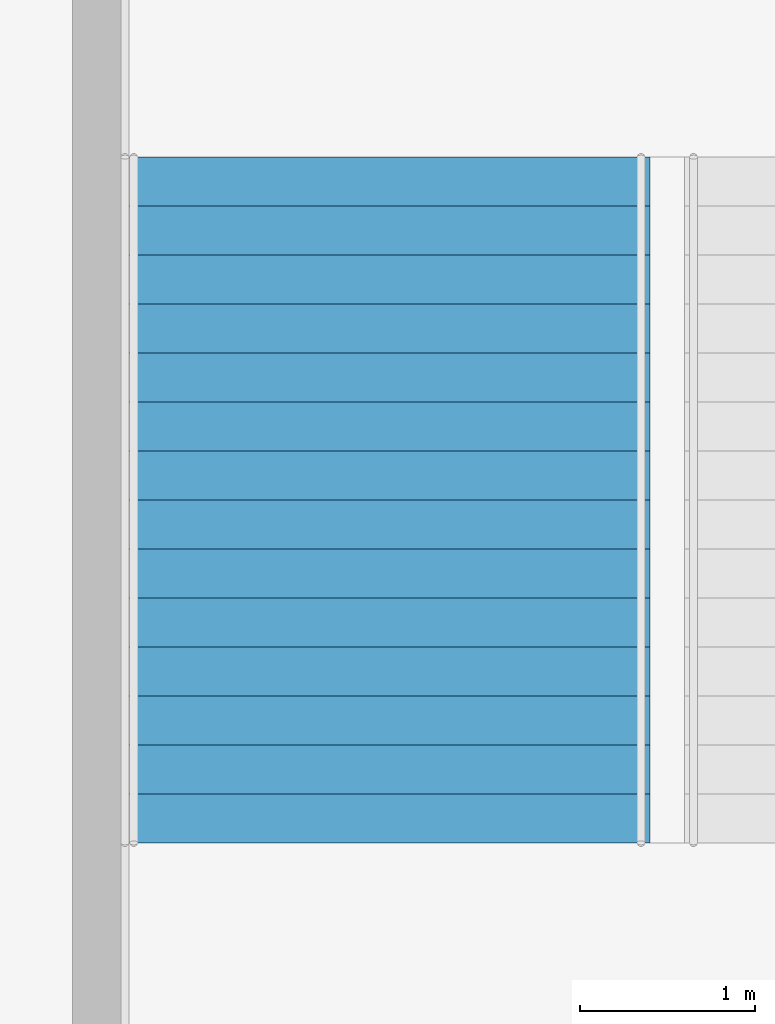
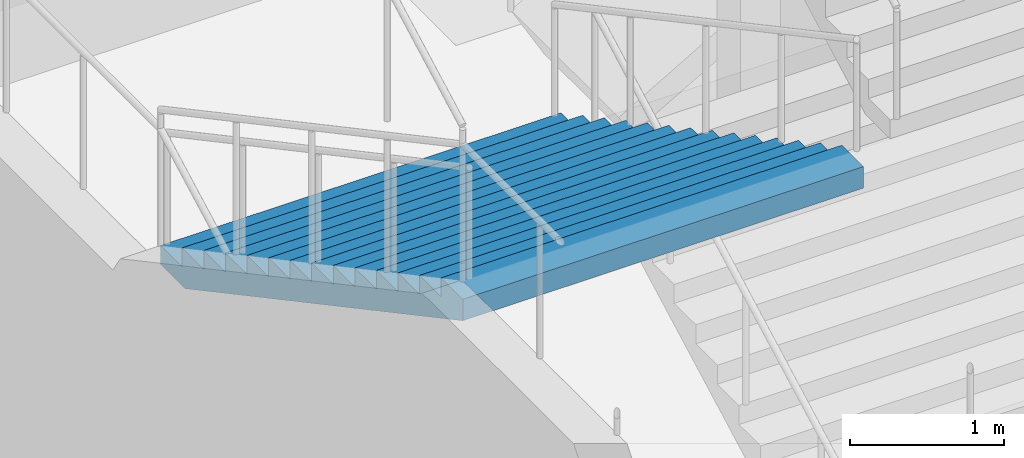
# One storey, part 97 of 113: 1 stair flight, 1 element without a shape of its own.
"""IFC4 building model written with IfcOpenShell, lengths in metres."""

from ifc_helpers import new_model, si_unit, direction, frame, origin, place, context, subcontext, project, spatial, triangles, material, type_object, element, aggregate, save


model = new_model("IFC4")

# Units and contexts
model_context = context("Model", 3, precision=1e-05, world=origin(), true_north=direction((0.0, 1.0)))
body_context = subcontext(model_context, "Body", "Model", "MODEL_VIEW")
ifc_project = project(units=[si_unit("LENGTHUNIT", "METRE"), si_unit("AREAUNIT", "SQUARE_METRE"), si_unit("VOLUMEUNIT", "CUBIC_METRE"), si_unit("PLANEANGLEUNIT", "RADIAN"), si_unit("MASSUNIT", "GRAM", prefix="KILO")], contexts=[model_context])

# Site, building, storey
site_placement = place(None, origin())
site = spatial("IfcSite", under=ifc_project, at=site_placement, CompositionType="ELEMENT")
building_placement = place(site_placement, origin())
building = spatial("IfcBuilding", under=site, at=building_placement, Name="Hakoniwa Tower and Hamabe Station Hall", CompositionType="ELEMENT")
storey_placement = place(building_placement, origin())
storey = spatial("IfcBuildingStorey", under=building, at=storey_placement, Name="L01", CompositionType="ELEMENT", Elevation=0.0)

# Stair, stair flight
ifc_material_1 = material(Name="Concrete C40", Category="concrete")
stair_type = type_object("IfcStairType", Name="STAIR 3000 15X150", PredefinedType="HALF_TURN_STAIR", material=ifc_material_1)
stair_placement = place(storey_placement, origin())
stair = element("IfcStair", 1, at=stair_placement, inside=storey, type_object=stair_type, Name="Concourse stair 1 L01-L02", PredefinedType="HALF_TURN_STAIR")
ifc_material_2 = material(Name="Concrete C40", Category="concrete")
stair_flight_type = type_object("IfcStairFlightType", Name="STAIR FLIGHT 3000", PredefinedType="STRAIGHT", material=ifc_material_2)
stair_flight_placement = place(storey_placement, frame((121.7900390625, -0.10009765625, 4.5), z_axis=(0.0, 0.0, 1.0), x_axis=(0.0, -1.0, 0.0)))
stair_flight = element("IfcStairFlight", 2, at=stair_flight_placement, type_object=stair_flight_type, Name="CS1 flight 3", NumberOfRisers=15, NumberOfTreads=14, PredefinedType="STRAIGHT", RiserHeight=0.15, TreadLength=0.28, context=body_context, shape_type="Tessellation", body=[
    triangles([(0.0, 1.5, 0.0), (0.280029296875, 1.5, 0.0), (0.3173828125, 1.5, 0.0), (0.56005859375, 1.5, 0.1298828125), (0.840087890625, 1.5, 0.280029296875), (1.1201171875, 1.5, 0.429931640625), (1.39990234375, 1.5, 0.579833984375), (1.679931640625, 1.5, 0.72998046875), (1.9599609375, 1.5, 0.8798828125), (2.239990234375, 1.5, 1.030029296875), (2.52001953125, 1.5, 1.179931640625), (2.800048828125, 1.5, 1.329833984375), (3.080078125, 1.5, 1.47998046875), (3.360107421875, 1.5, 1.6298828125), (3.639892578125, 1.5, 1.780029296875), (3.919921875, 1.5, 1.929931640625), (3.919921875, 1.5, 2.10009765625), (3.639892578125, 1.5, 2.10009765625), (3.639892578125, 1.5, 1.949951171875), (3.360107421875, 1.5, 1.949951171875), (3.360107421875, 1.5, 1.800048828125), (3.080078125, 1.5, 1.800048828125), (3.080078125, 1.5, 1.64990234375), (2.800048828125, 1.5, 1.64990234375), (2.800048828125, 1.5, 1.5), (2.52001953125, 1.5, 1.5), (2.52001953125, 1.5, 1.35009765625), (2.239990234375, 1.5, 1.35009765625), (2.239990234375, 1.5, 1.199951171875), (1.9599609375, 1.5, 1.199951171875), (1.9599609375, 1.5, 1.050048828125), (1.679931640625, 1.5, 1.050048828125), (1.679931640625, 1.5, 0.89990234375), (1.39990234375, 1.5, 0.89990234375), (1.39990234375, 1.5, 0.75), (1.1201171875, 1.5, 0.75), (1.1201171875, 1.5, 0.60009765625), (0.840087890625, 1.5, 0.60009765625), (0.840087890625, 1.5, 0.449951171875), (0.56005859375, 1.5, 0.449951171875), (0.56005859375, 1.5, 0.300048828125), (0.3173828125, 1.5, 0.300048828125), (0.280029296875, 1.5, 0.300048828125), (0.280029296875, 1.5, 0.14990234375), (0.0, 1.5, 0.14990234375), (0.0, 0.06005859375, 0.0), (0.280029296875, 0.06005859375, 0.0), (0.3173828125, 0.06005859375, 0.0), (0.56005859375, 0.06005859375, 0.1298828125), (0.840087890625, 0.06005859375, 0.280029296875), (1.1201171875, 0.06005859375, 0.429931640625), (1.39990234375, 0.06005859375, 0.579833984375), (1.679931640625, 0.06005859375, 0.72998046875), (1.9599609375, 0.06005859375, 0.8798828125), (2.239990234375, 0.06005859375, 1.030029296875), (2.52001953125, 0.06005859375, 1.179931640625), (2.800048828125, 0.06005859375, 1.329833984375), (3.080078125, 0.06005859375, 1.47998046875), (3.360107421875, 0.06005859375, 1.6298828125), (3.639892578125, 0.06005859375, 1.780029296875), (3.919921875, 0.06005859375, 1.929931640625), (3.919921875, 0.06005859375, 2.10009765625), (3.639892578125, 0.06005859375, 2.10009765625), (3.639892578125, 0.06005859375, 1.949951171875), (3.360107421875, 0.06005859375, 1.949951171875), (3.360107421875, 0.06005859375, 1.800048828125), (3.080078125, 0.06005859375, 1.800048828125), (3.080078125, 0.06005859375, 1.64990234375), (2.800048828125, 0.06005859375, 1.64990234375), (2.800048828125, 0.06005859375, 1.5), (2.52001953125, 0.06005859375, 1.5), (2.52001953125, 0.06005859375, 1.35009765625), (2.239990234375, 0.06005859375, 1.35009765625), (2.239990234375, 0.06005859375, 1.199951171875), (1.9599609375, 0.06005859375, 1.199951171875), (1.9599609375, 0.06005859375, 1.050048828125), (1.679931640625, 0.06005859375, 1.050048828125), (1.679931640625, 0.06005859375, 0.89990234375), (1.39990234375, 0.06005859375, 0.89990234375), (1.39990234375, 0.06005859375, 0.75), (1.1201171875, 0.06005859375, 0.75), (1.1201171875, 0.06005859375, 0.60009765625), (0.840087890625, 0.06005859375, 0.60009765625), (0.840087890625, 0.06005859375, 0.449951171875), (0.56005859375, 0.06005859375, 0.449951171875), (0.56005859375, 0.06005859375, 0.300048828125), (0.3173828125, 0.06005859375, 0.300048828125), (0.280029296875, 0.06005859375, 0.300048828125), (0.280029296875, 0.06005859375, 0.14990234375), (0.0, 0.06005859375, 0.14990234375), (0.0, 0.02001953125, 0.0), (0.280029296875, 0.02001953125, 0.0), (0.3173828125, 0.02001953125, 0.0), (0.56005859375, 0.02001953125, 0.1298828125), (0.840087890625, 0.02001953125, 0.280029296875), (1.1201171875, 0.02001953125, 0.429931640625), (1.39990234375, 0.02001953125, 0.579833984375), (1.679931640625, 0.02001953125, 0.72998046875), (1.9599609375, 0.02001953125, 0.8798828125), (2.239990234375, 0.02001953125, 1.030029296875), (2.52001953125, 0.02001953125, 1.179931640625), (2.800048828125, 0.02001953125, 1.329833984375), (3.080078125, 0.02001953125, 1.47998046875), (3.360107421875, 0.02001953125, 1.6298828125), (3.639892578125, 0.02001953125, 1.780029296875), (3.919921875, 0.02001953125, 1.929931640625), (3.919921875, 0.02001953125, 2.10009765625), (3.639892578125, 0.02001953125, 2.10009765625), (3.639892578125, 0.02001953125, 1.949951171875), (3.360107421875, 0.02001953125, 1.949951171875), (3.360107421875, 0.02001953125, 1.800048828125), (3.080078125, 0.02001953125, 1.800048828125), (3.080078125, 0.02001953125, 1.64990234375), (2.800048828125, 0.02001953125, 1.64990234375), (2.800048828125, 0.02001953125, 1.5), (2.52001953125, 0.02001953125, 1.5), (2.52001953125, 0.02001953125, 1.35009765625), (2.239990234375, 0.02001953125, 1.35009765625), (2.239990234375, 0.02001953125, 1.199951171875), (1.9599609375, 0.02001953125, 1.199951171875), (1.9599609375, 0.02001953125, 1.050048828125), (1.679931640625, 0.02001953125, 1.050048828125), (1.679931640625, 0.02001953125, 0.89990234375), (1.39990234375, 0.02001953125, 0.89990234375), (1.39990234375, 0.02001953125, 0.75), (1.1201171875, 0.02001953125, 0.75), (1.1201171875, 0.02001953125, 0.60009765625), (0.840087890625, 0.02001953125, 0.60009765625), (0.840087890625, 0.02001953125, 0.449951171875), (0.56005859375, 0.02001953125, 0.449951171875), (0.56005859375, 0.02001953125, 0.300048828125), (0.3173828125, 0.02001953125, 0.300048828125), (0.280029296875, 0.02001953125, 0.300048828125), (0.280029296875, 0.02001953125, 0.14990234375), (0.0, 0.02001953125, 0.14990234375), (0.0, -0.02001953125, 0.0), (0.280029296875, -0.02001953125, 0.0), (0.3173828125, -0.02001953125, 0.0), (0.56005859375, -0.02001953125, 0.1298828125), (0.840087890625, -0.02001953125, 0.280029296875), (1.1201171875, -0.02001953125, 0.429931640625), (1.39990234375, -0.02001953125, 0.579833984375), (1.679931640625, -0.02001953125, 0.72998046875), (1.9599609375, -0.02001953125, 0.8798828125), (2.239990234375, -0.02001953125, 1.030029296875), (2.52001953125, -0.02001953125, 1.179931640625), (2.800048828125, -0.02001953125, 1.329833984375), (3.080078125, -0.02001953125, 1.47998046875), (3.360107421875, -0.02001953125, 1.6298828125), (3.639892578125, -0.02001953125, 1.780029296875), (3.919921875, -0.02001953125, 1.929931640625), (3.919921875, -0.02001953125, 2.10009765625), (3.639892578125, -0.02001953125, 2.10009765625), (3.639892578125, -0.02001953125, 1.949951171875), (3.360107421875, -0.02001953125, 1.949951171875), (3.360107421875, -0.02001953125, 1.800048828125), (3.080078125, -0.02001953125, 1.800048828125), (3.080078125, -0.02001953125, 1.64990234375), (2.800048828125, -0.02001953125, 1.64990234375), (2.800048828125, -0.02001953125, 1.5), (2.52001953125, -0.02001953125, 1.5), (2.52001953125, -0.02001953125, 1.35009765625), (2.239990234375, -0.02001953125, 1.35009765625), (2.239990234375, -0.02001953125, 1.199951171875), (1.9599609375, -0.02001953125, 1.199951171875), (1.9599609375, -0.02001953125, 1.050048828125), (1.679931640625, -0.02001953125, 1.050048828125), (1.679931640625, -0.02001953125, 0.89990234375), (1.39990234375, -0.02001953125, 0.89990234375), (1.39990234375, -0.02001953125, 0.75), (1.1201171875, -0.02001953125, 0.75), (1.1201171875, -0.02001953125, 0.60009765625), (0.840087890625, -0.02001953125, 0.60009765625), (0.840087890625, -0.02001953125, 0.449951171875), (0.56005859375, -0.02001953125, 0.449951171875), (0.56005859375, -0.02001953125, 0.300048828125), (0.3173828125, -0.02001953125, 0.300048828125), (0.280029296875, -0.02001953125, 0.300048828125), (0.280029296875, -0.02001953125, 0.14990234375), (0.0, -0.02001953125, 0.14990234375), (0.0, -0.06005859375, 0.0), (0.280029296875, -0.06005859375, 0.0), (0.3173828125, -0.06005859375, 0.0), (0.56005859375, -0.06005859375, 0.1298828125), (0.840087890625, -0.06005859375, 0.280029296875), (1.1201171875, -0.06005859375, 0.429931640625), (1.39990234375, -0.06005859375, 0.579833984375), (1.679931640625, -0.06005859375, 0.72998046875), (1.9599609375, -0.06005859375, 0.8798828125), (2.239990234375, -0.06005859375, 1.030029296875), (2.52001953125, -0.06005859375, 1.179931640625), (2.800048828125, -0.06005859375, 1.329833984375), (3.080078125, -0.06005859375, 1.47998046875), (3.360107421875, -0.06005859375, 1.6298828125), (3.639892578125, -0.06005859375, 1.780029296875), (3.919921875, -0.06005859375, 1.929931640625), (3.919921875, -0.06005859375, 2.10009765625), (3.639892578125, -0.06005859375, 2.10009765625), (3.639892578125, -0.06005859375, 1.949951171875), (3.360107421875, -0.06005859375, 1.949951171875), (3.360107421875, -0.06005859375, 1.800048828125), (3.080078125, -0.06005859375, 1.800048828125), (3.080078125, -0.06005859375, 1.64990234375), (2.800048828125, -0.06005859375, 1.64990234375), (2.800048828125, -0.06005859375, 1.5), (2.52001953125, -0.06005859375, 1.5), (2.52001953125, -0.06005859375, 1.35009765625), (2.239990234375, -0.06005859375, 1.35009765625), (2.239990234375, -0.06005859375, 1.199951171875), (1.9599609375, -0.06005859375, 1.199951171875), (1.9599609375, -0.06005859375, 1.050048828125), (1.679931640625, -0.06005859375, 1.050048828125), (1.679931640625, -0.06005859375, 0.89990234375), (1.39990234375, -0.06005859375, 0.89990234375), (1.39990234375, -0.06005859375, 0.75), (1.1201171875, -0.06005859375, 0.75), (1.1201171875, -0.06005859375, 0.60009765625), (0.840087890625, -0.06005859375, 0.60009765625), (0.840087890625, -0.06005859375, 0.449951171875), (0.56005859375, -0.06005859375, 0.449951171875), (0.56005859375, -0.06005859375, 0.300048828125), (0.3173828125, -0.06005859375, 0.300048828125), (0.280029296875, -0.06005859375, 0.300048828125), (0.280029296875, -0.06005859375, 0.14990234375), (0.0, -0.06005859375, 0.14990234375), (0.0, -1.5, 0.0), (0.280029296875, -1.5, 0.0), (0.3173828125, -1.5, 0.0), (0.56005859375, -1.5, 0.1298828125), (0.840087890625, -1.5, 0.280029296875), (1.1201171875, -1.5, 0.429931640625), (1.39990234375, -1.5, 0.579833984375), (1.679931640625, -1.5, 0.72998046875), (1.9599609375, -1.5, 0.8798828125), (2.239990234375, -1.5, 1.030029296875), (2.52001953125, -1.5, 1.179931640625), (2.800048828125, -1.5, 1.329833984375), (3.080078125, -1.5, 1.47998046875), (3.360107421875, -1.5, 1.6298828125), (3.639892578125, -1.5, 1.780029296875), (3.919921875, -1.5, 1.929931640625), (3.919921875, -1.5, 2.10009765625), (3.639892578125, -1.5, 2.10009765625), (3.639892578125, -1.5, 1.949951171875), (3.360107421875, -1.5, 1.949951171875), (3.360107421875, -1.5, 1.800048828125), (3.080078125, -1.5, 1.800048828125), (3.080078125, -1.5, 1.64990234375), (2.800048828125, -1.5, 1.64990234375), (2.800048828125, -1.5, 1.5), (2.52001953125, -1.5, 1.5), (2.52001953125, -1.5, 1.35009765625), (2.239990234375, -1.5, 1.35009765625), (2.239990234375, -1.5, 1.199951171875), (1.9599609375, -1.5, 1.199951171875), (1.9599609375, -1.5, 1.050048828125), (1.679931640625, -1.5, 1.050048828125), (1.679931640625, -1.5, 0.89990234375), (1.39990234375, -1.5, 0.89990234375), (1.39990234375, -1.5, 0.75), (1.1201171875, -1.5, 0.75), (1.1201171875, -1.5, 0.60009765625), (0.840087890625, -1.5, 0.60009765625), (0.840087890625, -1.5, 0.449951171875), (0.56005859375, -1.5, 0.449951171875), (0.56005859375, -1.5, 0.300048828125), (0.3173828125, -1.5, 0.300048828125), (0.280029296875, -1.5, 0.300048828125), (0.280029296875, -1.5, 0.14990234375), (0.0, -1.5, 0.14990234375)], [[2, 45, 44], [227, 269, 270], [2, 1, 45], [227, 270, 226], [3, 43, 42], [228, 267, 268], [3, 44, 43], [228, 268, 269], [3, 2, 44], [228, 269, 227], [4, 42, 41], [229, 266, 267], [4, 3, 42], [229, 267, 228], [5, 40, 39], [230, 264, 265], [5, 41, 40], [230, 265, 266], [5, 4, 41], [230, 266, 229], [6, 38, 37], [231, 262, 263], [6, 39, 38], [231, 263, 264], [6, 5, 39], [231, 264, 230], [7, 36, 35], [232, 260, 261], [7, 37, 36], [232, 261, 262], [7, 6, 37], [232, 262, 231], [8, 34, 33], [233, 258, 259], [8, 35, 34], [233, 259, 260], [8, 7, 35], [233, 260, 232], [9, 32, 31], [234, 256, 257], [9, 33, 32], [234, 257, 258], [9, 8, 33], [234, 258, 233], [10, 30, 29], [235, 254, 255], [10, 31, 30], [235, 255, 256], [10, 9, 31], [235, 256, 234], [11, 28, 27], [236, 252, 253], [11, 29, 28], [236, 253, 254], [11, 10, 29], [236, 254, 235], [12, 26, 25], [237, 250, 251], [12, 27, 26], [237, 251, 252], [12, 11, 27], [237, 252, 236], [13, 24, 23], [238, 248, 249], [13, 25, 24], [238, 249, 250], [13, 12, 25], [238, 250, 237], [14, 22, 21], [239, 246, 247], [14, 23, 22], [239, 247, 248], [14, 13, 23], [239, 248, 238], [15, 20, 19], [240, 244, 245], [15, 21, 20], [240, 245, 246], [15, 14, 21], [240, 246, 239], [16, 18, 17], [241, 242, 243], [16, 19, 18], [241, 243, 244], [16, 15, 19], [241, 244, 240], [1, 2, 47], [1, 47, 46], [46, 47, 92], [46, 92, 91], [91, 92, 137], [91, 137, 136], [136, 137, 182], [136, 182, 181], [181, 182, 227], [181, 227, 226], [2, 3, 48], [2, 48, 47], [47, 48, 93], [47, 93, 92], [92, 93, 138], [92, 138, 137], [137, 138, 183], [137, 183, 182], [182, 183, 228], [182, 228, 227], [3, 4, 49], [3, 49, 48], [48, 49, 94], [48, 94, 93], [93, 94, 139], [93, 139, 138], [138, 139, 184], [138, 184, 183], [183, 184, 229], [183, 229, 228], [4, 5, 50], [4, 50, 49], [49, 50, 95], [49, 95, 94], [94, 95, 140], [94, 140, 139], [139, 140, 185], [139, 185, 184], [184, 185, 230], [184, 230, 229], [5, 6, 51], [5, 51, 50], [50, 51, 96], [50, 96, 95], [95, 96, 141], [95, 141, 140], [140, 141, 186], [140, 186, 185], [185, 186, 231], [185, 231, 230], [6, 7, 52], [6, 52, 51], [51, 52, 97], [51, 97, 96], [96, 97, 142], [96, 142, 141], [141, 142, 187], [141, 187, 186], [186, 187, 232], [186, 232, 231], [7, 8, 53], [7, 53, 52], [52, 53, 98], [52, 98, 97], [97, 98, 143], [97, 143, 142], [142, 143, 188], [142, 188, 187], [187, 188, 233], [187, 233, 232], [8, 9, 54], [8, 54, 53], [53, 54, 99], [53, 99, 98], [98, 99, 144], [98, 144, 143], [143, 144, 189], [143, 189, 188], [188, 189, 234], [188, 234, 233], [9, 10, 55], [9, 55, 54], [54, 55, 100], [54, 100, 99], [99, 100, 145], [99, 145, 144], [144, 145, 190], [144, 190, 189], [189, 190, 235], [189, 235, 234], [10, 11, 56], [10, 56, 55], [55, 56, 101], [55, 101, 100], [100, 101, 146], [100, 146, 145], [145, 146, 191], [145, 191, 190], [190, 191, 236], [190, 236, 235], [11, 12, 57], [11, 57, 56], [56, 57, 102], [56, 102, 101], [101, 102, 147], [101, 147, 146], [146, 147, 192], [146, 192, 191], [191, 192, 237], [191, 237, 236], [12, 13, 58], [12, 58, 57], [57, 58, 103], [57, 103, 102], [102, 103, 148], [102, 148, 147], [147, 148, 193], [147, 193, 192], [192, 193, 238], [192, 238, 237], [13, 14, 59], [13, 59, 58], [58, 59, 104], [58, 104, 103], [103, 104, 149], [103, 149, 148], [148, 149, 194], [148, 194, 193], [193, 194, 239], [193, 239, 238], [14, 15, 60], [14, 60, 59], [59, 60, 105], [59, 105, 104], [104, 105, 150], [104, 150, 149], [149, 150, 195], [149, 195, 194], [194, 195, 240], [194, 240, 239], [15, 16, 61], [15, 61, 60], [60, 61, 106], [60, 106, 105], [105, 106, 151], [105, 151, 150], [150, 151, 196], [150, 196, 195], [195, 196, 241], [195, 241, 240], [16, 17, 62], [16, 62, 61], [61, 62, 107], [61, 107, 106], [106, 107, 152], [106, 152, 151], [151, 152, 197], [151, 197, 196], [196, 197, 242], [196, 242, 241], [17, 18, 63], [17, 63, 62], [62, 63, 108], [62, 108, 107], [107, 108, 153], [107, 153, 152], [152, 153, 198], [152, 198, 197], [197, 198, 243], [197, 243, 242], [18, 19, 64], [18, 64, 63], [63, 64, 109], [63, 109, 108], [108, 109, 154], [108, 154, 153], [153, 154, 199], [153, 199, 198], [198, 199, 244], [198, 244, 243], [19, 20, 65], [19, 65, 64], [64, 65, 110], [64, 110, 109], [109, 110, 155], [109, 155, 154], [154, 155, 200], [154, 200, 199], [199, 200, 245], [199, 245, 244], [20, 21, 66], [20, 66, 65], [65, 66, 111], [65, 111, 110], [110, 111, 156], [110, 156, 155], [155, 156, 201], [155, 201, 200], [200, 201, 246], [200, 246, 245], [21, 22, 67], [21, 67, 66], [66, 67, 112], [66, 112, 111], [111, 112, 157], [111, 157, 156], [156, 157, 202], [156, 202, 201], [201, 202, 247], [201, 247, 246], [22, 23, 68], [22, 68, 67], [67, 68, 113], [67, 113, 112], [112, 113, 158], [112, 158, 157], [157, 158, 203], [157, 203, 202], [202, 203, 248], [202, 248, 247], [23, 24, 69], [23, 69, 68], [68, 69, 114], [68, 114, 113], [113, 114, 159], [113, 159, 158], [158, 159, 204], [158, 204, 203], [203, 204, 249], [203, 249, 248], [24, 25, 70], [24, 70, 69], [69, 70, 115], [69, 115, 114], [114, 115, 160], [114, 160, 159], [159, 160, 205], [159, 205, 204], [204, 205, 250], [204, 250, 249], [25, 26, 71], [25, 71, 70], [70, 71, 116], [70, 116, 115], [115, 116, 161], [115, 161, 160], [160, 161, 206], [160, 206, 205], [205, 206, 251], [205, 251, 250], [26, 27, 72], [26, 72, 71], [71, 72, 117], [71, 117, 116], [116, 117, 162], [116, 162, 161], [161, 162, 207], [161, 207, 206], [206, 207, 252], [206, 252, 251], [27, 28, 73], [27, 73, 72], [72, 73, 118], [72, 118, 117], [117, 118, 163], [117, 163, 162], [162, 163, 208], [162, 208, 207], [207, 208, 253], [207, 253, 252], [28, 29, 74], [28, 74, 73], [73, 74, 119], [73, 119, 118], [118, 119, 164], [118, 164, 163], [163, 164, 209], [163, 209, 208], [208, 209, 254], [208, 254, 253], [29, 30, 75], [29, 75, 74], [74, 75, 120], [74, 120, 119], [119, 120, 165], [119, 165, 164], [164, 165, 210], [164, 210, 209], [209, 210, 255], [209, 255, 254], [30, 31, 76], [30, 76, 75], [75, 76, 121], [75, 121, 120], [120, 121, 166], [120, 166, 165], [165, 166, 211], [165, 211, 210], [210, 211, 256], [210, 256, 255], [31, 32, 77], [31, 77, 76], [76, 77, 122], [76, 122, 121], [121, 122, 167], [121, 167, 166], [166, 167, 212], [166, 212, 211], [211, 212, 257], [211, 257, 256], [32, 33, 78], [32, 78, 77], [77, 78, 123], [77, 123, 122], [122, 123, 168], [122, 168, 167], [167, 168, 213], [167, 213, 212], [212, 213, 258], [212, 258, 257], [33, 34, 79], [33, 79, 78], [78, 79, 124], [78, 124, 123], [123, 124, 169], [123, 169, 168], [168, 169, 214], [168, 214, 213], [213, 214, 259], [213, 259, 258], [34, 35, 80], [34, 80, 79], [79, 80, 125], [79, 125, 124], [124, 125, 170], [124, 170, 169], [169, 170, 215], [169, 215, 214], [214, 215, 260], [214, 260, 259], [35, 36, 81], [35, 81, 80], [80, 81, 126], [80, 126, 125], [125, 126, 171], [125, 171, 170], [170, 171, 216], [170, 216, 215], [215, 216, 261], [215, 261, 260], [36, 37, 82], [36, 82, 81], [81, 82, 127], [81, 127, 126], [126, 127, 172], [126, 172, 171], [171, 172, 217], [171, 217, 216], [216, 217, 262], [216, 262, 261], [37, 38, 83], [37, 83, 82], [82, 83, 128], [82, 128, 127], [127, 128, 173], [127, 173, 172], [172, 173, 218], [172, 218, 217], [217, 218, 263], [217, 263, 262], [38, 39, 84], [38, 84, 83], [83, 84, 129], [83, 129, 128], [128, 129, 174], [128, 174, 173], [173, 174, 219], [173, 219, 218], [218, 219, 264], [218, 264, 263], [39, 40, 85], [39, 85, 84], [84, 85, 130], [84, 130, 129], [129, 130, 175], [129, 175, 174], [174, 175, 220], [174, 220, 219], [219, 220, 265], [219, 265, 264], [40, 41, 86], [40, 86, 85], [85, 86, 131], [85, 131, 130], [130, 131, 176], [130, 176, 175], [175, 176, 221], [175, 221, 220], [220, 221, 266], [220, 266, 265], [41, 42, 87], [41, 87, 86], [86, 87, 132], [86, 132, 131], [131, 132, 177], [131, 177, 176], [176, 177, 222], [176, 222, 221], [221, 222, 267], [221, 267, 266], [42, 43, 88], [42, 88, 87], [87, 88, 133], [87, 133, 132], [132, 133, 178], [132, 178, 177], [177, 178, 223], [177, 223, 222], [222, 223, 268], [222, 268, 267], [43, 44, 89], [43, 89, 88], [88, 89, 134], [88, 134, 133], [133, 134, 179], [133, 179, 178], [178, 179, 224], [178, 224, 223], [223, 224, 269], [223, 269, 268], [44, 45, 90], [44, 90, 89], [89, 90, 135], [89, 135, 134], [134, 135, 180], [134, 180, 179], [179, 180, 225], [179, 225, 224], [224, 225, 270], [224, 270, 269], [45, 1, 46], [45, 46, 90], [90, 46, 91], [90, 91, 135], [135, 91, 136], [135, 136, 180], [180, 136, 181], [180, 181, 225], [225, 181, 226], [225, 226, 270]], closed=True),
])
aggregate(stair, [stair_flight])

save(model, "model.ifc")
